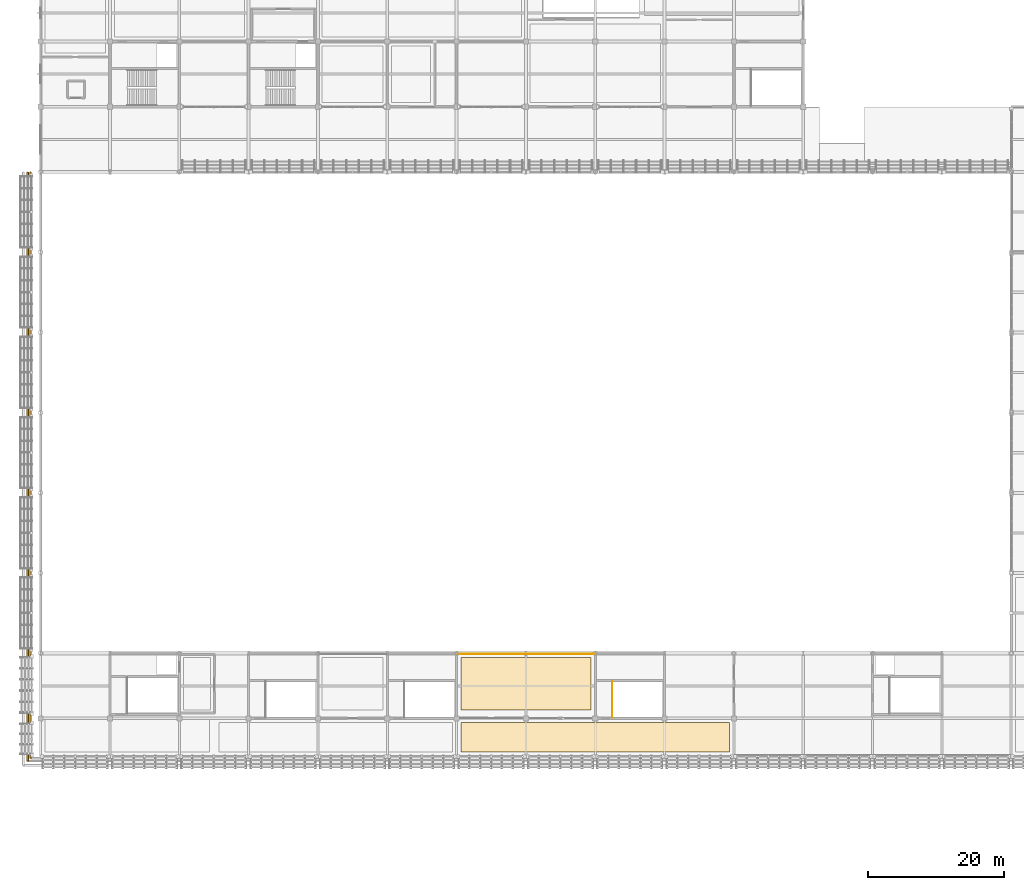
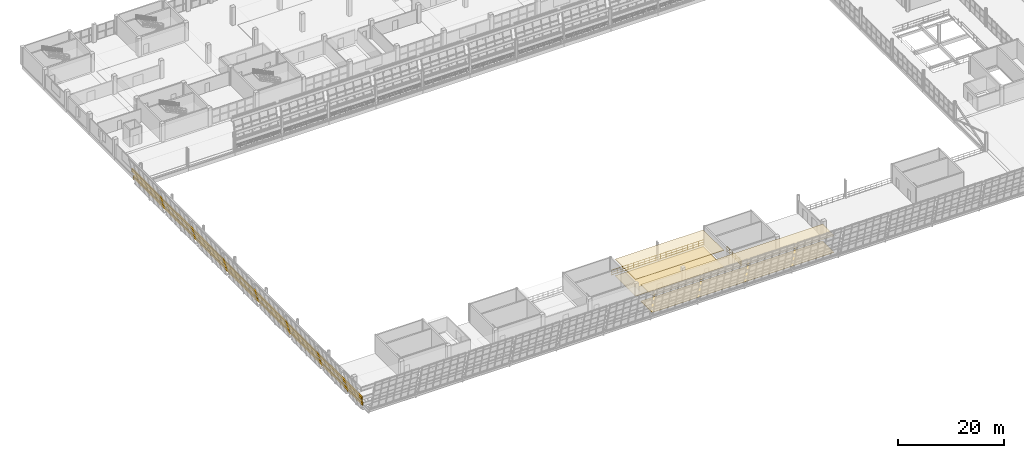
# One storey, part 144 of 157: 4 coverings, 4 railings.
"""IFC4 building model written with IfcOpenShell, lengths in metres."""

from ifc_helpers import new_model, si_unit, direction, frame, origin, origin_2d, place, context, subcontext, project, spatial, polyline, rectangle, circle, outline, extrude, material, layer, layer_set, type_object, element, save


model = new_model("IFC4")

# Units and contexts
model_context = context("Model", 3, precision=1e-05, world=origin(), true_north=direction((0.0, 1.0)))
body_context = subcontext(model_context, "Body", "Model", "MODEL_VIEW")
ifc_project = project(units=[si_unit("LENGTHUNIT", "METRE"), si_unit("AREAUNIT", "SQUARE_METRE"), si_unit("VOLUMEUNIT", "CUBIC_METRE"), si_unit("PLANEANGLEUNIT", "RADIAN"), si_unit("MASSUNIT", "GRAM", prefix="KILO")], contexts=[model_context])

# Site, building, storey
site_placement = place(None, origin())
site = spatial("IfcSite", under=ifc_project, at=site_placement, CompositionType="ELEMENT")
building_placement = place(site_placement, origin())
building = spatial("IfcBuilding", under=site, at=building_placement, Name="Brelvane Convention Centre", CompositionType="ELEMENT")
storey_placement = place(building_placement, frame((0.0, 0.0, 10.800048828125)))
storey = spatial("IfcBuildingStorey", under=building, at=storey_placement, Name="L02", CompositionType="ELEMENT", Elevation=10.800048828125)

# Coverings
ifc_material_1 = material(Name="Perforated Anodised Aluminium Alloy 6063 Acoustic Baffle", Category="aluminium")
ifc_layer_1 = layer(ifc_material_1, 0.110107421875)
ifc_layer_set_1 = layer_set([ifc_layer_1], Name="Perforated Anodised Aluminium Alloy 6063 Acoustic Baffle")
covering_type_1 = type_object("IfcCoveringType", Name="Interior Finish CL-BAF-110", PredefinedType="CEILING", material=ifc_layer_set_1)
covering_1_placement = place(storey_placement, frame((0.0, 0.0, 3.7900390625)))
element("IfcCovering", 1, at=covering_1_placement, inside=storey, type_object=covering_type_1, Name="Exhibition Technical Control Gallery East Acoustic Ceiling (CL-BAF-110)", PredefinedType="CEILING", context=body_context, shape_type="SweptSolid", body=[
    extrude(outline(polyline([(61.830078125, 20.429931640625), (80.969970703125, 20.429931640625), (80.969970703125, 28.169921875), (61.830078125, 28.169921875), (61.830078125, 20.429931640625)])), origin(), (0.0, 0.0, 1.0), 0.10986328125),
])
ifc_material_2 = material(Name="Perforated Anodised Aluminium Alloy 6063 Acoustic Baffle", Category="aluminium")
ifc_layer_2 = layer(ifc_material_2, 0.074951171875)
ifc_layer_set_2 = layer_set([ifc_layer_2], Name="Perforated Anodised Aluminium Alloy 6063 Acoustic Baffle")
covering_type_2 = type_object("IfcCoveringType", Name="Interior Finish CL-BAF-75", PredefinedType="CEILING", material=ifc_layer_set_2)
covering_2_placement = place(storey_placement, frame((0.0, 0.0, 3.824951171875)))
element("IfcCovering", 2, at=covering_2_placement, inside=storey, type_object=covering_type_2, Name="Television Interview Studio Acoustic Ceiling (CL-BAF-75)", PredefinedType="CEILING", context=body_context, shape_type="SweptSolid", body=[
    extrude(outline(polyline([(61.830078125, 14.22998046875), (101.3701171875, 14.22998046875), (101.3701171875, 18.570068359375), (61.830078125, 18.570068359375), (61.830078125, 14.22998046875)])), origin(), (0.0, 0.0, 1.0), 0.074951171875),
])
ifc_material_3 = material(Name="Heavy-Duty Quartz-Filled Industrial Epoxy Screed Grade A")
ifc_layer_3 = layer(ifc_material_3, 0.044921875)
ifc_layer_set_3 = layer_set([ifc_layer_3], Name="Heavy-Duty Quartz-Filled Industrial Epoxy Screed Grade A")
covering_type_3 = type_object("IfcCoveringType", Name="Interior Finish FL-EPX-45", PredefinedType="FLOORING", material=ifc_layer_set_3)
covering_3_placement = place(storey_placement, origin())
element("IfcCovering", 3, at=covering_3_placement, inside=storey, type_object=covering_type_3, Name="Exhibition Technical Control Gallery East Floor Finish (FL-EPX-45)", PredefinedType="FLOORING", context=body_context, shape_type="SweptSolid", body=[
    extrude(outline(polyline([(61.830078125, 20.429931640625), (80.969970703125, 20.429931640625), (80.969970703125, 28.169921875), (61.830078125, 28.169921875), (61.830078125, 20.429931640625)])), origin(), (0.0, 0.0, 1.0), 0.044921875),
])
ifc_material_4 = material(Name="Polished Basalt-Aggregate Terrazzo Screed Concrete M30", Category="masonry")
ifc_layer_4 = layer(ifc_material_4, 0.050048828125)
ifc_layer_set_4 = layer_set([ifc_layer_4], Name="Polished Basalt-Aggregate Terrazzo Screed Concrete M30")
covering_type_4 = type_object("IfcCoveringType", Name="Interior Finish FL-TER-50", PredefinedType="FLOORING", material=ifc_layer_set_4)
covering_4_placement = place(storey_placement, origin())
element("IfcCovering", 4, at=covering_4_placement, inside=storey, type_object=covering_type_4, Name="Television Interview Studio Floor Finish (FL-TER-50)", PredefinedType="FLOORING", context=body_context, shape_type="SweptSolid", body=[
    extrude(outline(polyline([(61.830078125, 14.22998046875), (101.3701171875, 14.22998046875), (101.3701171875, 18.570068359375), (61.830078125, 18.570068359375), (61.830078125, 14.22998046875)])), origin(), (0.0, 0.0, 1.0), 0.050048828125),
])

# Railings
ifc_material_5 = material(Name="Steel E350 (350 MPa)", Category="steel")
railing_type_1 = type_object("IfcRailingType", Name="Railing BL-ATR-2", PredefinedType="BALUSTRADE", material=ifc_material_5)
railing_1_placement = place(storey_placement, frame((61.39990234375, 28.679931640625, 0.0)))
element("IfcRailing", 5, at=railing_1_placement, inside=storey, type_object=railing_type_1, Name="Railing BL-ATR-2 L02-exh_overlook_l02_e", PredefinedType="BALUSTRADE", context=body_context, shape_type="SweptSolid", body=[
    extrude(circle(Radius=0.02392578125, at=origin_2d()), frame((0.0, 0.0, 1.19580078125), z_axis=(1.0, 0.0, 0.0), x_axis=(0.0, 1.0, 0.0)), (0.0, 0.0, 1.0), 20.0),
    extrude(circle(Radius=0.02392578125, at=origin_2d()), frame((0.0, 0.0, 0.63427734375), z_axis=(1.0, 0.0, 0.0), x_axis=(0.0, 1.0, 0.0)), (0.0, 0.0, 1.0), 20.0),
    extrude(circle(Radius=0.02392578125, at=origin_2d()), frame((0.0, 0.0, 0.139892578125), z_axis=(1.0, 0.0, 0.0), x_axis=(0.0, 1.0, 0.0)), (0.0, 0.0, 1.0), 20.0),
    extrude(circle(Radius=0.02099609375, at=origin_2d()), origin(), (0.0, 0.0, 1.0), 1.171875),
    extrude(circle(Radius=0.02099609375, at=origin_2d()), frame((1.176513671875, 0.0, 0.0)), (0.0, 0.0, 1.0), 1.171875),
    extrude(circle(Radius=0.02099609375, at=origin_2d()), frame((2.35302734375, 0.0, 0.0)), (0.0, 0.0, 1.0), 1.171875),
    extrude(circle(Radius=0.02099609375, at=origin_2d()), frame((3.529296875, 0.0, 0.0)), (0.0, 0.0, 1.0), 1.171875),
    extrude(circle(Radius=0.02099609375, at=origin_2d()), frame((4.705810546875, 0.0, 0.0)), (0.0, 0.0, 1.0), 1.171875),
    extrude(circle(Radius=0.02099609375, at=origin_2d()), frame((5.88232421875, 0.0, 0.0)), (0.0, 0.0, 1.0), 1.171875),
    extrude(circle(Radius=0.02099609375, at=origin_2d()), frame((7.058837890625, 0.0, 0.0)), (0.0, 0.0, 1.0), 1.171875),
    extrude(circle(Radius=0.02099609375, at=origin_2d()), frame((8.2353515625, 0.0, 0.0)), (0.0, 0.0, 1.0), 1.171875),
    extrude(circle(Radius=0.02099609375, at=origin_2d()), frame((9.411865234375, 0.0, 0.0)), (0.0, 0.0, 1.0), 1.171875),
    extrude(circle(Radius=0.02099609375, at=origin_2d()), frame((10.588134765625, 0.0, 0.0)), (0.0, 0.0, 1.0), 1.171875),
    extrude(circle(Radius=0.02099609375, at=origin_2d()), frame((11.7646484375, 0.0, 0.0)), (0.0, 0.0, 1.0), 1.171875),
    extrude(circle(Radius=0.02099609375, at=origin_2d()), frame((12.941162109375, 0.0, 0.0)), (0.0, 0.0, 1.0), 1.171875),
    extrude(circle(Radius=0.02099609375, at=origin_2d()), frame((14.11767578125, 0.0, 0.0)), (0.0, 0.0, 1.0), 1.171875),
    extrude(circle(Radius=0.02099609375, at=origin_2d()), frame((15.294189453125, 0.0, 0.0)), (0.0, 0.0, 1.0), 1.171875),
    extrude(circle(Radius=0.02099609375, at=origin_2d()), frame((16.470703125, 0.0, 0.0)), (0.0, 0.0, 1.0), 1.171875),
    extrude(circle(Radius=0.02099609375, at=origin_2d()), frame((17.64697265625, 0.0, 0.0)), (0.0, 0.0, 1.0), 1.171875),
    extrude(circle(Radius=0.02099609375, at=origin_2d()), frame((18.823486328125, 0.0, 0.0)), (0.0, 0.0, 1.0), 1.171875),
    extrude(circle(Radius=0.02099609375, at=origin_2d()), frame((20.0, 0.0, 0.0)), (0.0, 0.0, 1.0), 1.171875),
])
ifc_material_6 = material(Name="Steel E350 (350 MPa)", Category="steel")
railing_type_2 = type_object("IfcRailingType", Name="Railing BL-CU-1", PredefinedType="BALUSTRADE", material=ifc_material_6)
railing_2_placement = place(storey_placement, frame((-1.490966796875, 13.34912109375, 0.89990234375)))
element("IfcRailing", 6, at=railing_2_placement, inside=storey, type_object=railing_type_2, Name="Railing BL-CU-1 L02-cu_hull_w_4", PredefinedType="BALUSTRADE", context=body_context, shape_type="SweptSolid", body=[
    extrude(rectangle(XDim=0.280029296875, YDim=0.6201171875, at=origin_2d()), frame((0.0, 0.0, 0.81005859375), z_axis=(0.0, 1.0, 0.0), x_axis=(-1.0, 0.0, 0.0)), (0.0, 0.0, 1.0), 86.2509765625),
    extrude(circle(Radius=0.02099609375, at=origin_2d()), origin(), (0.0, 0.0, 1.0), 1.072021484375),
    extrude(circle(Radius=0.02099609375, at=origin_2d()), frame((0.0, 1.197998046875, 0.0)), (0.0, 0.0, 1.0), 1.072021484375),
    extrude(circle(Radius=0.02099609375, at=origin_2d()), frame((0.0, 2.395751953125, 0.0)), (0.0, 0.0, 1.0), 1.072021484375),
    extrude(circle(Radius=0.02099609375, at=origin_2d()), frame((0.0, 3.59375, 0.0)), (0.0, 0.0, 1.0), 1.072021484375),
    extrude(circle(Radius=0.02099609375, at=origin_2d()), frame((0.0, 4.791748046875, 0.0)), (0.0, 0.0, 1.0), 1.072021484375),
    extrude(circle(Radius=0.02099609375, at=origin_2d()), frame((0.0, 5.98974609375, 0.0)), (0.0, 0.0, 1.0), 1.072021484375),
    extrude(circle(Radius=0.02099609375, at=origin_2d()), frame((0.0, 7.1875, 0.0)), (0.0, 0.0, 1.0), 1.072021484375),
    extrude(circle(Radius=0.02099609375, at=origin_2d()), frame((0.0, 8.385498046875, 0.0)), (0.0, 0.0, 1.0), 1.072021484375),
    extrude(circle(Radius=0.02099609375, at=origin_2d()), frame((0.0, 9.58349609375, 0.0)), (0.0, 0.0, 1.0), 1.072021484375),
    extrude(circle(Radius=0.02099609375, at=origin_2d()), frame((0.0, 10.78125, 0.0)), (0.0, 0.0, 1.0), 1.072021484375),
    extrude(circle(Radius=0.02099609375, at=origin_2d()), frame((0.0, 11.979248046875, 0.0)), (0.0, 0.0, 1.0), 1.072021484375),
    extrude(circle(Radius=0.02099609375, at=origin_2d()), frame((0.0, 13.17724609375, 0.0)), (0.0, 0.0, 1.0), 1.072021484375),
    extrude(circle(Radius=0.02099609375, at=origin_2d()), frame((0.0, 14.375244140625, 0.0)), (0.0, 0.0, 1.0), 1.072021484375),
    extrude(circle(Radius=0.02099609375, at=origin_2d()), frame((0.0, 15.572998046875, 0.0)), (0.0, 0.0, 1.0), 1.072021484375),
    extrude(circle(Radius=0.02099609375, at=origin_2d()), frame((0.0, 16.77099609375, 0.0)), (0.0, 0.0, 1.0), 1.072021484375),
    extrude(circle(Radius=0.02099609375, at=origin_2d()), frame((0.0, 17.968994140625, 0.0)), (0.0, 0.0, 1.0), 1.072021484375),
    extrude(circle(Radius=0.02099609375, at=origin_2d()), frame((0.0, 19.1669921875, 0.0)), (0.0, 0.0, 1.0), 1.072021484375),
    extrude(circle(Radius=0.02099609375, at=origin_2d()), frame((0.0, 20.36474609375, 0.0)), (0.0, 0.0, 1.0), 1.072021484375),
    extrude(circle(Radius=0.02099609375, at=origin_2d()), frame((0.0, 21.562744140625, 0.0)), (0.0, 0.0, 1.0), 1.072021484375),
    extrude(circle(Radius=0.02099609375, at=origin_2d()), frame((0.0, 22.7607421875, 0.0)), (0.0, 0.0, 1.0), 1.072021484375),
    extrude(circle(Radius=0.02099609375, at=origin_2d()), frame((0.0, 23.95849609375, 0.0)), (0.0, 0.0, 1.0), 1.072021484375),
    extrude(circle(Radius=0.02099609375, at=origin_2d()), frame((0.0, 25.156494140625, 0.0)), (0.0, 0.0, 1.0), 1.072021484375),
    extrude(circle(Radius=0.02099609375, at=origin_2d()), frame((0.0, 26.3544921875, 0.0)), (0.0, 0.0, 1.0), 1.072021484375),
    extrude(circle(Radius=0.02099609375, at=origin_2d()), frame((0.0, 27.552490234375, 0.0)), (0.0, 0.0, 1.0), 1.072021484375),
    extrude(circle(Radius=0.02099609375, at=origin_2d()), frame((0.0, 28.750244140625, 0.0)), (0.0, 0.0, 1.0), 1.072021484375),
    extrude(circle(Radius=0.02099609375, at=origin_2d()), frame((0.0, 29.9482421875, 0.0)), (0.0, 0.0, 1.0), 1.072021484375),
    extrude(circle(Radius=0.02099609375, at=origin_2d()), frame((0.0, 31.146240234375, 0.0)), (0.0, 0.0, 1.0), 1.072021484375),
    extrude(circle(Radius=0.02099609375, at=origin_2d()), frame((0.0, 32.34423828125, 0.0)), (0.0, 0.0, 1.0), 1.072021484375),
    extrude(circle(Radius=0.02099609375, at=origin_2d()), frame((0.0, 33.5419921875, 0.0)), (0.0, 0.0, 1.0), 1.072021484375),
    extrude(circle(Radius=0.02099609375, at=origin_2d()), frame((0.0, 34.739990234375, 0.0)), (0.0, 0.0, 1.0), 1.072021484375),
    extrude(circle(Radius=0.02099609375, at=origin_2d()), frame((0.0, 35.93798828125, 0.0)), (0.0, 0.0, 1.0), 1.072021484375),
    extrude(circle(Radius=0.02099609375, at=origin_2d()), frame((0.0, 37.1357421875, 0.0)), (0.0, 0.0, 1.0), 1.072021484375),
    extrude(circle(Radius=0.02099609375, at=origin_2d()), frame((0.0, 38.333740234375, 0.0)), (0.0, 0.0, 1.0), 1.072021484375),
    extrude(circle(Radius=0.02099609375, at=origin_2d()), frame((0.0, 39.53173828125, 0.0)), (0.0, 0.0, 1.0), 1.072021484375),
    extrude(circle(Radius=0.02099609375, at=origin_2d()), frame((0.0, 40.729736328125, 0.0)), (0.0, 0.0, 1.0), 1.072021484375),
    extrude(circle(Radius=0.02099609375, at=origin_2d()), frame((0.0, 41.927490234375, 0.0)), (0.0, 0.0, 1.0), 1.072021484375),
    extrude(circle(Radius=0.02099609375, at=origin_2d()), frame((0.0, 43.12548828125, 0.0)), (0.0, 0.0, 1.0), 1.072021484375),
    extrude(circle(Radius=0.02099609375, at=origin_2d()), frame((0.0, 44.323486328125, 0.0)), (0.0, 0.0, 1.0), 1.072021484375),
    extrude(circle(Radius=0.02099609375, at=origin_2d()), frame((0.0, 45.521240234375, 0.0)), (0.0, 0.0, 1.0), 1.072021484375),
    extrude(circle(Radius=0.02099609375, at=origin_2d()), frame((0.0, 46.71923828125, 0.0)), (0.0, 0.0, 1.0), 1.072021484375),
    extrude(circle(Radius=0.02099609375, at=origin_2d()), frame((0.0, 47.917236328125, 0.0)), (0.0, 0.0, 1.0), 1.072021484375),
    extrude(circle(Radius=0.02099609375, at=origin_2d()), frame((0.0, 49.115234375, 0.0)), (0.0, 0.0, 1.0), 1.072021484375),
    extrude(circle(Radius=0.02099609375, at=origin_2d()), frame((0.0, 50.31298828125, 0.0)), (0.0, 0.0, 1.0), 1.072021484375),
    extrude(circle(Radius=0.02099609375, at=origin_2d()), frame((0.0, 51.510986328125, 0.0)), (0.0, 0.0, 1.0), 1.072021484375),
    extrude(circle(Radius=0.02099609375, at=origin_2d()), frame((0.0, 52.708984375, 0.0)), (0.0, 0.0, 1.0), 1.072021484375),
    extrude(circle(Radius=0.02099609375, at=origin_2d()), frame((0.0, 53.90673828125, 0.0)), (0.0, 0.0, 1.0), 1.072021484375),
    extrude(circle(Radius=0.02099609375, at=origin_2d()), frame((0.0, 55.104736328125, 0.0)), (0.0, 0.0, 1.0), 1.072021484375),
    extrude(circle(Radius=0.02099609375, at=origin_2d()), frame((0.0, 56.302734375, 0.0)), (0.0, 0.0, 1.0), 1.072021484375),
    extrude(circle(Radius=0.02099609375, at=origin_2d()), frame((0.0, 57.500732421875, 0.0)), (0.0, 0.0, 1.0), 1.072021484375),
    extrude(circle(Radius=0.02099609375, at=origin_2d()), frame((0.0, 58.698486328125, 0.0)), (0.0, 0.0, 1.0), 1.072021484375),
    extrude(circle(Radius=0.02099609375, at=origin_2d()), frame((0.0, 59.896484375, 0.0)), (0.0, 0.0, 1.0), 1.072021484375),
    extrude(circle(Radius=0.02099609375, at=origin_2d()), frame((0.0, 61.094482421875, 0.0)), (0.0, 0.0, 1.0), 1.072021484375),
    extrude(circle(Radius=0.02099609375, at=origin_2d()), frame((0.0, 62.29248046875, 0.0)), (0.0, 0.0, 1.0), 1.072021484375),
    extrude(circle(Radius=0.02099609375, at=origin_2d()), frame((0.0, 63.490234375, 0.0)), (0.0, 0.0, 1.0), 1.072021484375),
    extrude(circle(Radius=0.02099609375, at=origin_2d()), frame((0.0, 64.688232421875, 0.0)), (0.0, 0.0, 1.0), 1.072021484375),
    extrude(circle(Radius=0.02099609375, at=origin_2d()), frame((0.0, 65.88623046875, 0.0)), (0.0, 0.0, 1.0), 1.072021484375),
    extrude(circle(Radius=0.02099609375, at=origin_2d()), frame((0.0, 67.083984375, 0.0)), (0.0, 0.0, 1.0), 1.072021484375),
    extrude(circle(Radius=0.02099609375, at=origin_2d()), frame((0.0, 68.281982421875, 0.0)), (0.0, 0.0, 1.0), 1.072021484375),
    extrude(circle(Radius=0.02099609375, at=origin_2d()), frame((0.0, 69.47998046875, 0.0)), (0.0, 0.0, 1.0), 1.072021484375),
    extrude(circle(Radius=0.02099609375, at=origin_2d()), frame((0.0, 70.677978515625, 0.0)), (0.0, 0.0, 1.0), 1.072021484375),
    extrude(circle(Radius=0.02099609375, at=origin_2d()), frame((0.0, 71.875732421875, 0.0)), (0.0, 0.0, 1.0), 1.072021484375),
    extrude(circle(Radius=0.02099609375, at=origin_2d()), frame((0.0, 73.07373046875, 0.0)), (0.0, 0.0, 1.0), 1.072021484375),
    extrude(circle(Radius=0.02099609375, at=origin_2d()), frame((0.0, 74.271728515625, 0.0)), (0.0, 0.0, 1.0), 1.072021484375),
    extrude(circle(Radius=0.02099609375, at=origin_2d()), frame((0.0, 75.4697265625, 0.0)), (0.0, 0.0, 1.0), 1.072021484375),
    extrude(circle(Radius=0.02099609375, at=origin_2d()), frame((0.0, 76.66748046875, 0.0)), (0.0, 0.0, 1.0), 1.072021484375),
    extrude(circle(Radius=0.02099609375, at=origin_2d()), frame((0.0, 77.865478515625, 0.0)), (0.0, 0.0, 1.0), 1.072021484375),
    extrude(circle(Radius=0.02099609375, at=origin_2d()), frame((0.0, 79.0634765625, 0.0)), (0.0, 0.0, 1.0), 1.072021484375),
    extrude(circle(Radius=0.02099609375, at=origin_2d()), frame((0.0, 80.26123046875, 0.0)), (0.0, 0.0, 1.0), 1.072021484375),
    extrude(circle(Radius=0.02099609375, at=origin_2d()), frame((0.0, 81.459228515625, 0.0)), (0.0, 0.0, 1.0), 1.072021484375),
    extrude(circle(Radius=0.02099609375, at=origin_2d()), frame((0.0, 82.6572265625, 0.0)), (0.0, 0.0, 1.0), 1.072021484375),
    extrude(circle(Radius=0.02099609375, at=origin_2d()), frame((0.0, 83.855224609375, 0.0)), (0.0, 0.0, 1.0), 1.072021484375),
    extrude(circle(Radius=0.02099609375, at=origin_2d()), frame((0.0, 85.052978515625, 0.0)), (0.0, 0.0, 1.0), 1.072021484375),
    extrude(circle(Radius=0.02099609375, at=origin_2d()), frame((0.0, 86.2509765625, 0.0)), (0.0, 0.0, 1.0), 1.072021484375),
])
railing_3_placement = place(storey_placement, frame((-1.902099609375, 12.93798828125, 2.64990234375)))
element("IfcRailing", 7, at=railing_3_placement, inside=storey, type_object=railing_type_2, Name="Railing BL-CU-1 L02-cu_hull_w_5", PredefinedType="BALUSTRADE", context=body_context, shape_type="SweptSolid", body=[
    extrude(rectangle(XDim=0.280029296875, YDim=0.6201171875, at=origin_2d()), frame((0.0, 0.0, 0.81005859375), z_axis=(0.0, 1.0, 0.0), x_axis=(-1.0, 0.0, 0.0)), (0.0, 0.0, 1.0), 86.662109375),
    extrude(circle(Radius=0.02099609375, at=origin_2d()), origin(), (0.0, 0.0, 1.0), 1.072021484375),
    extrude(circle(Radius=0.02099609375, at=origin_2d()), frame((0.0, 1.187255859375, 0.0)), (0.0, 0.0, 1.0), 1.072021484375),
    extrude(circle(Radius=0.02099609375, at=origin_2d()), frame((0.0, 2.374267578125, 0.0)), (0.0, 0.0, 1.0), 1.072021484375),
    extrude(circle(Radius=0.02099609375, at=origin_2d()), frame((0.0, 3.5615234375, 0.0)), (0.0, 0.0, 1.0), 1.072021484375),
    extrude(circle(Radius=0.02099609375, at=origin_2d()), frame((0.0, 4.74853515625, 0.0)), (0.0, 0.0, 1.0), 1.072021484375),
    extrude(circle(Radius=0.02099609375, at=origin_2d()), frame((0.0, 5.935791015625, 0.0)), (0.0, 0.0, 1.0), 1.072021484375),
    extrude(circle(Radius=0.02099609375, at=origin_2d()), frame((0.0, 7.122802734375, 0.0)), (0.0, 0.0, 1.0), 1.072021484375),
    extrude(circle(Radius=0.02099609375, at=origin_2d()), frame((0.0, 8.31005859375, 0.0)), (0.0, 0.0, 1.0), 1.072021484375),
    extrude(circle(Radius=0.02099609375, at=origin_2d()), frame((0.0, 9.497314453125, 0.0)), (0.0, 0.0, 1.0), 1.072021484375),
    extrude(circle(Radius=0.02099609375, at=origin_2d()), frame((0.0, 10.684326171875, 0.0)), (0.0, 0.0, 1.0), 1.072021484375),
    extrude(circle(Radius=0.02099609375, at=origin_2d()), frame((0.0, 11.87158203125, 0.0)), (0.0, 0.0, 1.0), 1.072021484375),
    extrude(circle(Radius=0.02099609375, at=origin_2d()), frame((0.0, 13.05859375, 0.0)), (0.0, 0.0, 1.0), 1.072021484375),
    extrude(circle(Radius=0.02099609375, at=origin_2d()), frame((0.0, 14.245849609375, 0.0)), (0.0, 0.0, 1.0), 1.072021484375),
    extrude(circle(Radius=0.02099609375, at=origin_2d()), frame((0.0, 15.432861328125, 0.0)), (0.0, 0.0, 1.0), 1.072021484375),
    extrude(circle(Radius=0.02099609375, at=origin_2d()), frame((0.0, 16.6201171875, 0.0)), (0.0, 0.0, 1.0), 1.072021484375),
    extrude(circle(Radius=0.02099609375, at=origin_2d()), frame((0.0, 17.807373046875, 0.0)), (0.0, 0.0, 1.0), 1.072021484375),
    extrude(circle(Radius=0.02099609375, at=origin_2d()), frame((0.0, 18.994384765625, 0.0)), (0.0, 0.0, 1.0), 1.072021484375),
    extrude(circle(Radius=0.02099609375, at=origin_2d()), frame((0.0, 20.181640625, 0.0)), (0.0, 0.0, 1.0), 1.072021484375),
    extrude(circle(Radius=0.02099609375, at=origin_2d()), frame((0.0, 21.36865234375, 0.0)), (0.0, 0.0, 1.0), 1.072021484375),
    extrude(circle(Radius=0.02099609375, at=origin_2d()), frame((0.0, 22.555908203125, 0.0)), (0.0, 0.0, 1.0), 1.072021484375),
    extrude(circle(Radius=0.02099609375, at=origin_2d()), frame((0.0, 23.7431640625, 0.0)), (0.0, 0.0, 1.0), 1.072021484375),
    extrude(circle(Radius=0.02099609375, at=origin_2d()), frame((0.0, 24.93017578125, 0.0)), (0.0, 0.0, 1.0), 1.072021484375),
    extrude(circle(Radius=0.02099609375, at=origin_2d()), frame((0.0, 26.117431640625, 0.0)), (0.0, 0.0, 1.0), 1.072021484375),
    extrude(circle(Radius=0.02099609375, at=origin_2d()), frame((0.0, 27.304443359375, 0.0)), (0.0, 0.0, 1.0), 1.072021484375),
    extrude(circle(Radius=0.02099609375, at=origin_2d()), frame((0.0, 28.49169921875, 0.0)), (0.0, 0.0, 1.0), 1.072021484375),
    extrude(circle(Radius=0.02099609375, at=origin_2d()), frame((0.0, 29.6787109375, 0.0)), (0.0, 0.0, 1.0), 1.072021484375),
    extrude(circle(Radius=0.02099609375, at=origin_2d()), frame((0.0, 30.865966796875, 0.0)), (0.0, 0.0, 1.0), 1.072021484375),
    extrude(circle(Radius=0.02099609375, at=origin_2d()), frame((0.0, 32.05322265625, 0.0)), (0.0, 0.0, 1.0), 1.072021484375),
    extrude(circle(Radius=0.02099609375, at=origin_2d()), frame((0.0, 33.240234375, 0.0)), (0.0, 0.0, 1.0), 1.072021484375),
    extrude(circle(Radius=0.02099609375, at=origin_2d()), frame((0.0, 34.427490234375, 0.0)), (0.0, 0.0, 1.0), 1.072021484375),
    extrude(circle(Radius=0.02099609375, at=origin_2d()), frame((0.0, 35.614501953125, 0.0)), (0.0, 0.0, 1.0), 1.072021484375),
    extrude(circle(Radius=0.02099609375, at=origin_2d()), frame((0.0, 36.8017578125, 0.0)), (0.0, 0.0, 1.0), 1.072021484375),
    extrude(circle(Radius=0.02099609375, at=origin_2d()), frame((0.0, 37.98876953125, 0.0)), (0.0, 0.0, 1.0), 1.072021484375),
    extrude(circle(Radius=0.02099609375, at=origin_2d()), frame((0.0, 39.176025390625, 0.0)), (0.0, 0.0, 1.0), 1.072021484375),
    extrude(circle(Radius=0.02099609375, at=origin_2d()), frame((0.0, 40.36328125, 0.0)), (0.0, 0.0, 1.0), 1.072021484375),
    extrude(circle(Radius=0.02099609375, at=origin_2d()), frame((0.0, 41.55029296875, 0.0)), (0.0, 0.0, 1.0), 1.072021484375),
    extrude(circle(Radius=0.02099609375, at=origin_2d()), frame((0.0, 42.737548828125, 0.0)), (0.0, 0.0, 1.0), 1.072021484375),
    extrude(circle(Radius=0.02099609375, at=origin_2d()), frame((0.0, 43.924560546875, 0.0)), (0.0, 0.0, 1.0), 1.072021484375),
    extrude(circle(Radius=0.02099609375, at=origin_2d()), frame((0.0, 45.11181640625, 0.0)), (0.0, 0.0, 1.0), 1.072021484375),
    extrude(circle(Radius=0.02099609375, at=origin_2d()), frame((0.0, 46.298828125, 0.0)), (0.0, 0.0, 1.0), 1.072021484375),
    extrude(circle(Radius=0.02099609375, at=origin_2d()), frame((0.0, 47.486083984375, 0.0)), (0.0, 0.0, 1.0), 1.072021484375),
    extrude(circle(Radius=0.02099609375, at=origin_2d()), frame((0.0, 48.67333984375, 0.0)), (0.0, 0.0, 1.0), 1.072021484375),
    extrude(circle(Radius=0.02099609375, at=origin_2d()), frame((0.0, 49.8603515625, 0.0)), (0.0, 0.0, 1.0), 1.072021484375),
    extrude(circle(Radius=0.02099609375, at=origin_2d()), frame((0.0, 51.047607421875, 0.0)), (0.0, 0.0, 1.0), 1.072021484375),
    extrude(circle(Radius=0.02099609375, at=origin_2d()), frame((0.0, 52.234619140625, 0.0)), (0.0, 0.0, 1.0), 1.072021484375),
    extrude(circle(Radius=0.02099609375, at=origin_2d()), frame((0.0, 53.421875, 0.0)), (0.0, 0.0, 1.0), 1.072021484375),
    extrude(circle(Radius=0.02099609375, at=origin_2d()), frame((0.0, 54.60888671875, 0.0)), (0.0, 0.0, 1.0), 1.072021484375),
    extrude(circle(Radius=0.02099609375, at=origin_2d()), frame((0.0, 55.796142578125, 0.0)), (0.0, 0.0, 1.0), 1.072021484375),
    extrude(circle(Radius=0.02099609375, at=origin_2d()), frame((0.0, 56.9833984375, 0.0)), (0.0, 0.0, 1.0), 1.072021484375),
    extrude(circle(Radius=0.02099609375, at=origin_2d()), frame((0.0, 58.17041015625, 0.0)), (0.0, 0.0, 1.0), 1.072021484375),
    extrude(circle(Radius=0.02099609375, at=origin_2d()), frame((0.0, 59.357666015625, 0.0)), (0.0, 0.0, 1.0), 1.072021484375),
    extrude(circle(Radius=0.02099609375, at=origin_2d()), frame((0.0, 60.544677734375, 0.0)), (0.0, 0.0, 1.0), 1.072021484375),
    extrude(circle(Radius=0.02099609375, at=origin_2d()), frame((0.0, 61.73193359375, 0.0)), (0.0, 0.0, 1.0), 1.072021484375),
    extrude(circle(Radius=0.02099609375, at=origin_2d()), frame((0.0, 62.9189453125, 0.0)), (0.0, 0.0, 1.0), 1.072021484375),
    extrude(circle(Radius=0.02099609375, at=origin_2d()), frame((0.0, 64.106201171875, 0.0)), (0.0, 0.0, 1.0), 1.072021484375),
    extrude(circle(Radius=0.02099609375, at=origin_2d()), frame((0.0, 65.29345703125, 0.0)), (0.0, 0.0, 1.0), 1.072021484375),
    extrude(circle(Radius=0.02099609375, at=origin_2d()), frame((0.0, 66.48046875, 0.0)), (0.0, 0.0, 1.0), 1.072021484375),
    extrude(circle(Radius=0.02099609375, at=origin_2d()), frame((0.0, 67.667724609375, 0.0)), (0.0, 0.0, 1.0), 1.072021484375),
    extrude(circle(Radius=0.02099609375, at=origin_2d()), frame((0.0, 68.854736328125, 0.0)), (0.0, 0.0, 1.0), 1.072021484375),
    extrude(circle(Radius=0.02099609375, at=origin_2d()), frame((0.0, 70.0419921875, 0.0)), (0.0, 0.0, 1.0), 1.072021484375),
    extrude(circle(Radius=0.02099609375, at=origin_2d()), frame((0.0, 71.229248046875, 0.0)), (0.0, 0.0, 1.0), 1.072021484375),
    extrude(circle(Radius=0.02099609375, at=origin_2d()), frame((0.0, 72.416259765625, 0.0)), (0.0, 0.0, 1.0), 1.072021484375),
    extrude(circle(Radius=0.02099609375, at=origin_2d()), frame((0.0, 73.603515625, 0.0)), (0.0, 0.0, 1.0), 1.072021484375),
    extrude(circle(Radius=0.02099609375, at=origin_2d()), frame((0.0, 74.79052734375, 0.0)), (0.0, 0.0, 1.0), 1.072021484375),
    extrude(circle(Radius=0.02099609375, at=origin_2d()), frame((0.0, 75.977783203125, 0.0)), (0.0, 0.0, 1.0), 1.072021484375),
    extrude(circle(Radius=0.02099609375, at=origin_2d()), frame((0.0, 77.164794921875, 0.0)), (0.0, 0.0, 1.0), 1.072021484375),
    extrude(circle(Radius=0.02099609375, at=origin_2d()), frame((0.0, 78.35205078125, 0.0)), (0.0, 0.0, 1.0), 1.072021484375),
    extrude(circle(Radius=0.02099609375, at=origin_2d()), frame((0.0, 79.539306640625, 0.0)), (0.0, 0.0, 1.0), 1.072021484375),
    extrude(circle(Radius=0.02099609375, at=origin_2d()), frame((0.0, 80.726318359375, 0.0)), (0.0, 0.0, 1.0), 1.072021484375),
    extrude(circle(Radius=0.02099609375, at=origin_2d()), frame((0.0, 81.91357421875, 0.0)), (0.0, 0.0, 1.0), 1.072021484375),
    extrude(circle(Radius=0.02099609375, at=origin_2d()), frame((0.0, 83.1005859375, 0.0)), (0.0, 0.0, 1.0), 1.072021484375),
    extrude(circle(Radius=0.02099609375, at=origin_2d()), frame((0.0, 84.287841796875, 0.0)), (0.0, 0.0, 1.0), 1.072021484375),
    extrude(circle(Radius=0.02099609375, at=origin_2d()), frame((0.0, 85.474853515625, 0.0)), (0.0, 0.0, 1.0), 1.072021484375),
    extrude(circle(Radius=0.02099609375, at=origin_2d()), frame((0.0, 86.662109375, 0.0)), (0.0, 0.0, 1.0), 1.072021484375),
])
ifc_material_7 = material(Name="Steel E350 (350 MPa)", Category="steel")
railing_type_3 = type_object("IfcRailingType", Name="Stair Railing GR-ST-2", PredefinedType="GUARDRAIL", material=ifc_material_7)
railing_4_placement = place(storey_placement, frame((84.090087890625, 19.320068359375, -0.02001953125)))
element("IfcRailing", 8, at=railing_4_placement, inside=storey, type_object=railing_type_3, Name="Stair ST-10 L02 Top Well Guard", PredefinedType="GUARDRAIL", context=body_context, shape_type="SweptSolid", body=[
    extrude(circle(Radius=0.02392578125, at=origin_2d()), frame((0.0, 0.0, 1.15576171875), z_axis=(0.0, 1.0, 0.0), x_axis=(-1.0, 0.0, 0.0)), (0.0, 0.0, 1.0), 5.35986328125),
    extrude(circle(Radius=0.02392578125, at=origin_2d()), frame((0.0, 0.0, 0.613525390625), z_axis=(0.0, 1.0, 0.0), x_axis=(-1.0, 0.0, 0.0)), (0.0, 0.0, 1.0), 5.35986328125),
    extrude(circle(Radius=0.02392578125, at=origin_2d()), frame((0.0, 0.0, 0.139892578125), z_axis=(0.0, 1.0, 0.0), x_axis=(-1.0, 0.0, 0.0)), (0.0, 0.0, 1.0), 5.35986328125),
    extrude(circle(Radius=0.02099609375, at=origin_2d()), origin(), (0.0, 0.0, 1.0), 1.1318359375),
    extrude(circle(Radius=0.02099609375, at=origin_2d()), frame((0.0, 1.072021484375, 0.0)), (0.0, 0.0, 1.0), 1.1318359375),
    extrude(circle(Radius=0.02099609375, at=origin_2d()), frame((0.0, 2.14404296875, 0.0)), (0.0, 0.0, 1.0), 1.1318359375),
    extrude(circle(Radius=0.02099609375, at=origin_2d()), frame((0.0, 3.2158203125, 0.0)), (0.0, 0.0, 1.0), 1.1318359375),
    extrude(circle(Radius=0.02099609375, at=origin_2d()), frame((0.0, 4.287841796875, 0.0)), (0.0, 0.0, 1.0), 1.1318359375),
    extrude(circle(Radius=0.02099609375, at=origin_2d()), frame((0.0, 5.35986328125, 0.0)), (0.0, 0.0, 1.0), 1.1318359375),
])

save(model, "model.ifc")
